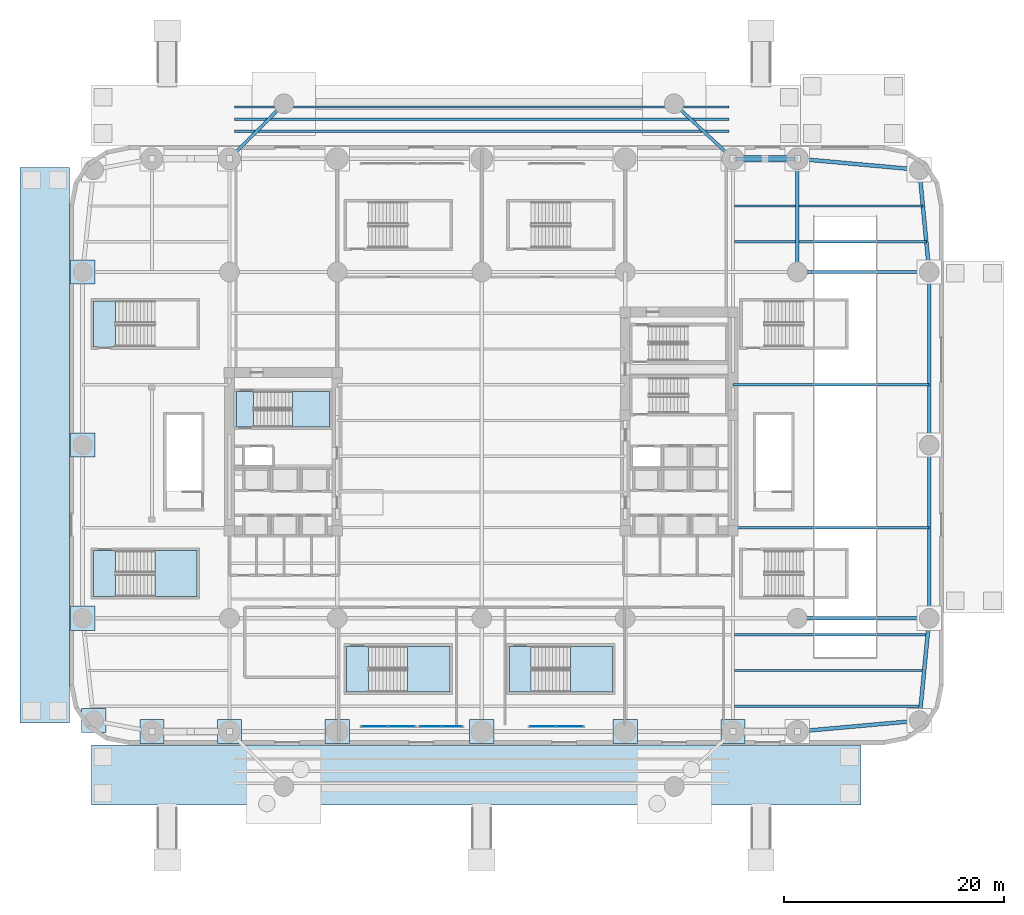
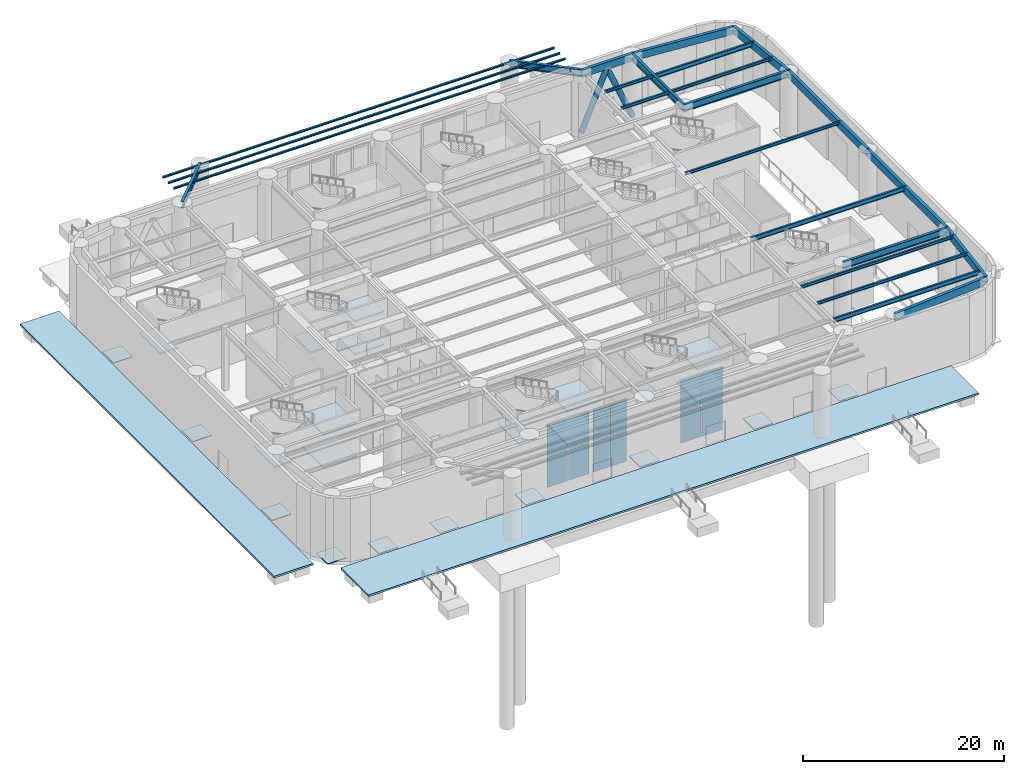
# One storey, part 7 of 25: 22 plates, 21 beams, 15 slabs, 5 members, 8 elements without a shape of their own.
"""IFC4 building model written with IfcOpenShell, lengths in metres."""

from ifc_helpers import new_model, si_unit, direction, frame, origin, origin_2d, place, context, subcontext, project, spatial, polyline, rectangle, hollow_rectangle, hollow_circle, i_section, outline, extrude, material, layer, layer_set, material_profile, profile_set, type_object, element, aggregate, save


model = new_model("IFC4")

# Units and contexts
model_context = context("Model", 3, precision=1e-05, world=origin(), true_north=direction((0.0, 1.0)))
body_context = subcontext(model_context, "Body", "Model", "MODEL_VIEW")
ifc_project = project(units=[si_unit("LENGTHUNIT", "METRE"), si_unit("AREAUNIT", "SQUARE_METRE"), si_unit("VOLUMEUNIT", "CUBIC_METRE"), si_unit("PLANEANGLEUNIT", "RADIAN"), si_unit("MASSUNIT", "GRAM", prefix="KILO")], contexts=[model_context])

# Site, building, storey
site_placement = place(None, origin())
site = spatial("IfcSite", under=ifc_project, at=site_placement, CompositionType="ELEMENT")
building_placement = place(site_placement, origin())
building = spatial("IfcBuilding", under=site, at=building_placement, Name="Kolvaren Arena Tower", CompositionType="ELEMENT")
storey_placement = place(building_placement, origin())
storey = spatial("IfcBuildingStorey", under=building, at=storey_placement, Name="L00", CompositionType="ELEMENT", Elevation=0.0)

# Beams
ifc_material_1 = material(Name="Steel CSA G40.21 350W", Category="steel")
ifc_material_profile_1 = material_profile(ifc_material_1, i_section(OverallWidth=0.2119140625, OverallDepth=0.54296875, WebThickness=0.01318359375, FlangeThickness=0.0244140625, FilletRadius=0.013916015625, at=origin_2d()), Name="W530x150")
ifc_profile_set_1 = profile_set([ifc_material_profile_1], Name="Steel CSA G40.21 350W")
beam_type_1 = type_object("IfcBeamType", Name="BEAM-F1", PredefinedType="BEAM", material=ifc_profile_set_1)
beam_1_placement = place(storey_placement, frame((60.49609375, 3.5, 7.37841796875), z_axis=(1.0, 0.0, 0.0), x_axis=(0.0, 1.0, 0.0)))
element("IfcBeam", 1, at=beam_1_placement, inside=storey, type_object=beam_type_1, Name="Composite Floor Beam (L00)", PredefinedType="BEAM", context=body_context, shape_type="SweptSolid", body=[
    extrude(i_section(OverallWidth=0.2119140625, OverallDepth=0.54296875, WebThickness=0.01318359375, FlangeThickness=0.0244140625, FilletRadius=0.013916015625, at=origin_2d()), origin(), (0.0, 0.0, 1.0), 16.9296875),
])
beam_2_placement = place(storey_placement, frame((60.3701171875, 19.75, 7.37841796875), z_axis=(1.0, 0.0, 0.0), x_axis=(0.0, 1.0, 0.0)))
element("IfcBeam", 2, at=beam_2_placement, inside=storey, type_object=beam_type_1, Name="Composite Floor Beam (L00)", PredefinedType="BEAM", context=body_context, shape_type="SweptSolid", body=[
    extrude(i_section(OverallWidth=0.2119140625, OverallDepth=0.54296875, WebThickness=0.01318359375, FlangeThickness=0.0244140625, FilletRadius=0.013916015625, at=origin_2d()), origin(), (0.0, 0.0, 1.0), 17.829833984375),
])
beam_3_placement = place(storey_placement, frame((66.345947265625, 49.0, 7.37841796875), z_axis=(1.0, 0.0, 0.0), x_axis=(0.0, 1.0, 0.0)))
element("IfcBeam", 3, at=beam_3_placement, inside=storey, type_object=beam_type_1, Name="Composite Floor Beam (L00)", PredefinedType="BEAM", context=body_context, shape_type="SweptSolid", body=[
    extrude(i_section(OverallWidth=0.2119140625, OverallDepth=0.54296875, WebThickness=0.01318359375, FlangeThickness=0.0244140625, FilletRadius=0.013916015625, at=origin_2d()), origin(), (0.0, 0.0, 1.0), 11.2734375),
])

# Members
ifc_material_2 = material(Name="Steel CSA G40.21 350WT", Category="steel")
ifc_material_profile_2 = material_profile(ifc_material_2, hollow_circle(Radius=0.304931640625, WallThickness=0.028076171875, at=origin_2d()), Name="CHS 610x28")
ifc_profile_set_2 = profile_set([ifc_material_profile_2], Name="Steel CSA G40.21 350WT")
member_type_1 = type_object("IfcMemberType", Name="EXO-STRUT1", PredefinedType="STRUT", material=ifc_profile_set_2)
for number, where, z_axis, x_axis, name in (
    (4, (60.35009765625, 53.300048828125, 0.050048828125), (0.396847792712, 0.0, 0.917884431407), (0.0, 1.0, 0.0), "Stilt Podium Inclined Strut 7"),
    (5, (66.199951171875, 53.300048828125, 0.050048828125), (-0.39687570109, 0.0, 0.917872364702), (0.0, -1.0, 0.0), "Stilt Podium Inclined Strut 8"),
):
    element("IfcMember", number, at=place(storey_placement, frame(where, z_axis=z_axis, x_axis=x_axis)), inside=storey, type_object=member_type_1, Name=name, PredefinedType="STRUT", context=body_context, shape_type="SweptSolid", body=[
        extrude(hollow_circle(Radius=0.304931640625, WallThickness=0.028076171875, at=origin_2d()), origin(), (0.0, 0.0, 1.0), 7.3701171875),
    ])

# Beams
ifc_material_profile_3 = material_profile(ifc_material_1, i_section(OverallWidth=0.2919921875, OverallDepth=0.85498046875, WebThickness=0.02099609375, FlangeThickness=0.03564453125, FilletRadius=0.01806640625, at=origin_2d()), Name="W840x299")
ifc_profile_set_3 = profile_set([ifc_material_profile_3], Name="Steel CSA G40.21 350W")
beam_type_2 = type_object("IfcBeamType", Name="GIRD-P1", PredefinedType="BEAM", material=ifc_profile_set_3)
beam_4_placement = place(storey_placement, frame((19.5, 58.300048828125, 7.2724609375), z_axis=(-0.703541093045, -0.710654578819, 0.0), x_axis=(0.710654578819, -0.703541093045, 0.0)))
element("IfcBeam", 6, at=beam_4_placement, inside=storey, type_object=beam_type_2, Name="Plaza Colonnade Tie Girder PF-N1", PredefinedType="BEAM", context=body_context, shape_type="SweptSolid", body=[
    extrude(i_section(OverallWidth=0.2919921875, OverallDepth=0.85498046875, WebThickness=0.02099609375, FlangeThickness=0.03564453125, FilletRadius=0.01806640625, at=origin_2d()), origin(), (0.0, 0.0, 1.0), 7.035888671875),
])
beam_5_placement = place(storey_placement, frame((55.0, 58.300048828125, 7.2724609375), z_axis=(0.730607201925, -0.682798005632, 0.0), x_axis=(0.682798005632, 0.730607201925, 0.0)))
element("IfcBeam", 7, at=beam_5_placement, inside=storey, type_object=beam_type_2, Name="Plaza Colonnade Tie Girder PF-N2", PredefinedType="BEAM", context=body_context, shape_type="SweptSolid", body=[
    extrude(i_section(OverallWidth=0.2919921875, OverallDepth=0.85498046875, WebThickness=0.02099609375, FlangeThickness=0.03564453125, FilletRadius=0.01806640625, at=origin_2d()), origin(), (0.0, 0.0, 1.0), 7.32275390625),
])
for number, where, z_axis, x_axis, name in (
    (8, (66.199951171875, 11.5, 7.222412109375), (1.0, 0.0, 0.0), (0.0, 1.0, 0.0), "Primary Floor Girder (L00)"),
    (9, (66.199951171875, 43.0, 7.222412109375), (1.0, 0.0, 0.0), (0.0, 1.0, 0.0), "Primary Floor Girder (L00)"),
):
    element("IfcBeam", number, at=place(storey_placement, frame(where, z_axis=z_axis, x_axis=x_axis)), inside=storey, type_object=beam_type_2, Name=name, PredefinedType="BEAM", context=body_context, shape_type="SweptSolid", body=[
        extrude(i_section(OverallWidth=0.2919921875, OverallDepth=0.85498046875, WebThickness=0.02099609375, FlangeThickness=0.03564453125, FilletRadius=0.01806640625, at=origin_2d()), origin(), (0.0, 0.0, 1.0), 12.0),
    ])
beam_6_placement = place(storey_placement, frame((66.199951171875, 43.0, 7.222412109375), z_axis=(0.0, 1.0, 0.0), x_axis=(-1.0, 0.0, 0.0)))
element("IfcBeam", 10, at=beam_6_placement, inside=storey, type_object=beam_type_2, Name="Primary Floor Girder (L00)", PredefinedType="BEAM", context=body_context, shape_type="SweptSolid", body=[
    extrude(i_section(OverallWidth=0.2919921875, OverallDepth=0.85498046875, WebThickness=0.02099609375, FlangeThickness=0.03564453125, FilletRadius=0.01806640625, at=origin_2d()), origin(), (0.0, 0.0, 1.0), 10.300048828125),
])
ifc_material_profile_4 = material_profile(ifc_material_1, i_section(OverallWidth=0.202880859375, OverallDepth=0.346923828125, WebThickness=0.0078125, FlangeThickness=0.013427734375, FilletRadius=0.010986328125, at=origin_2d()), Name="W360x64")
ifc_profile_set_4 = profile_set([ifc_material_profile_4], Name="Steel CSA G40.21 350W")
beam_type_3 = type_object("IfcBeamType", Name="JOIST-01", PredefinedType="JOIST", material=ifc_profile_set_4)
beam_7_placement = place(storey_placement, frame((60.49609375, 6.75, 7.4765625), z_axis=(1.0, 0.0, 0.0), x_axis=(0.0, 1.0, 0.0)))
element("IfcBeam", 11, at=beam_7_placement, inside=storey, type_object=beam_type_3, Name="Composite Floor Joist (L00)", PredefinedType="JOIST", context=body_context, shape_type="SweptSolid", body=[
    extrude(i_section(OverallWidth=0.202880859375, OverallDepth=0.346923828125, WebThickness=0.0078125, FlangeThickness=0.013427734375, FilletRadius=0.010986328125, at=origin_2d()), origin(), (0.0, 0.0, 1.0), 17.244140625),
])
beam_8_placement = place(storey_placement, frame((60.49609375, 10.0, 7.4765625), z_axis=(1.0, 0.0, 0.0), x_axis=(0.0, 1.0, 0.0)))
element("IfcBeam", 12, at=beam_8_placement, inside=storey, type_object=beam_type_3, Name="Composite Floor Joist (L00)", PredefinedType="JOIST", context=body_context, shape_type="SweptSolid", body=[
    extrude(i_section(OverallWidth=0.202880859375, OverallDepth=0.346923828125, WebThickness=0.0078125, FlangeThickness=0.013427734375, FilletRadius=0.010986328125, at=origin_2d()), origin(), (0.0, 0.0, 1.0), 17.55859375),
])
beam_9_placement = place(storey_placement, frame((60.3701171875, 32.75, 7.4765625), z_axis=(1.0, 0.0, 0.0), x_axis=(0.0, 1.0, 0.0)))
element("IfcBeam", 13, at=beam_9_placement, inside=storey, type_object=beam_type_3, Name="Composite Floor Joist (L00)", PredefinedType="JOIST", context=body_context, shape_type="SweptSolid", body=[
    extrude(i_section(OverallWidth=0.202880859375, OverallDepth=0.346923828125, WebThickness=0.0078125, FlangeThickness=0.013427734375, FilletRadius=0.010986328125, at=origin_2d()), origin(), (0.0, 0.0, 1.0), 17.829833984375),
])
beam_10_placement = place(storey_placement, frame((60.49609375, 45.75, 7.4765625), z_axis=(1.0, 0.0, 0.0), x_axis=(0.0, 1.0, 0.0)))
element("IfcBeam", 14, at=beam_10_placement, inside=storey, type_object=beam_type_3, Name="Composite Floor Joist (L00)", PredefinedType="JOIST", context=body_context, shape_type="SweptSolid", body=[
    extrude(i_section(OverallWidth=0.202880859375, OverallDepth=0.346923828125, WebThickness=0.0078125, FlangeThickness=0.013427734375, FilletRadius=0.010986328125, at=origin_2d()), origin(), (0.0, 0.0, 1.0), 5.557861328125),
])
beam_11_placement = place(storey_placement, frame((66.345947265625, 45.75, 7.4765625), z_axis=(1.0, 0.0, 0.0), x_axis=(0.0, 1.0, 0.0)))
element("IfcBeam", 15, at=beam_11_placement, inside=storey, type_object=beam_type_3, Name="Composite Floor Joist (L00)", PredefinedType="JOIST", context=body_context, shape_type="SweptSolid", body=[
    extrude(i_section(OverallWidth=0.202880859375, OverallDepth=0.346923828125, WebThickness=0.0078125, FlangeThickness=0.013427734375, FilletRadius=0.010986328125, at=origin_2d()), origin(), (0.0, 0.0, 1.0), 11.587890625),
])
beam_12_placement = place(storey_placement, frame((60.49609375, 49.0, 7.4765625), z_axis=(1.0, 0.0, 0.0), x_axis=(0.0, 1.0, 0.0)))
element("IfcBeam", 16, at=beam_12_placement, inside=storey, type_object=beam_type_3, Name="Composite Floor Joist (L00)", PredefinedType="JOIST", context=body_context, shape_type="SweptSolid", body=[
    extrude(i_section(OverallWidth=0.202880859375, OverallDepth=0.346923828125, WebThickness=0.0078125, FlangeThickness=0.013427734375, FilletRadius=0.010986328125, at=origin_2d()), origin(), (0.0, 0.0, 1.0), 5.557861328125),
])

# Members
ifc_material_profile_5 = material_profile(ifc_material_1, i_section(OverallWidth=0.202880859375, OverallDepth=0.202880859375, WebThickness=0.007080078125, FlangeThickness=0.010986328125, FilletRadius=0.009033203125, at=origin_2d()), Name="W200x46")
ifc_profile_set_5 = profile_set([ifc_material_profile_5], Name="Steel CSA G40.21 350W")
member_type_2 = type_object("IfcMemberType", Name="PURLIN-CN1", PredefinedType="PURLIN", material=ifc_profile_set_5)
for number, where, z_axis, x_axis, name in (
    (17, (15.0, 55.800048828125, 7.598388671875), (1.0, 0.0, 0.0), (0.0, 1.0, 0.0), "Canopy Steel Purlin (North)"),
    (18, (15.0, 56.89990234375, 7.598388671875), (1.0, 0.0, 0.0), (0.0, 1.0, 0.0), "Canopy Steel Purlin (North)"),
    (19, (15.0, 58.0, 7.598388671875), (1.0, 0.0, 0.0), (0.0, 1.0, 0.0), "Canopy Steel Purlin (North)"),
):
    element("IfcMember", number, at=place(storey_placement, frame(where, z_axis=z_axis, x_axis=x_axis)), inside=storey, type_object=member_type_2, Name=name, PredefinedType="PURLIN", context=body_context, shape_type="SweptSolid", body=[
        extrude(i_section(OverallWidth=0.202880859375, OverallDepth=0.202880859375, WebThickness=0.007080078125, FlangeThickness=0.010986328125, FilletRadius=0.009033203125, at=origin_2d()), origin(), (0.0, 0.0, 1.0), 45.0),
    ])

# Beams
ifc_material_profile_6 = material_profile(ifc_material_2, hollow_rectangle(XDim=0.35009765625, YDim=0.89990234375, WallThickness=0.02001953125, at=origin_2d()), Name="HSS 900x350x20")
ifc_profile_set_6 = profile_set([ifc_material_profile_6], Name="Steel CSA G40.21 350WT")
beam_type_4 = type_object("IfcBeamType", Name="SPAND-01", PredefinedType="SPANDREL", material=ifc_profile_set_6)
beam_13_placement = place(storey_placement, frame((66.199951171875, 1.199951171875, 7.199951171875), z_axis=(0.995966494892, 0.089725921855, 0.0), x_axis=(-0.089725921855, 0.995966494892, 0.0)))
element("IfcBeam", 20, at=beam_13_placement, inside=storey, type_object=beam_type_4, Name="Perimeter Spandrel Beam (L00)", PredefinedType="SPANDREL", context=body_context, shape_type="SweptSolid", body=[
    extrude(hollow_rectangle(XDim=0.35009765625, YDim=0.89990234375, WallThickness=0.02001953125, at=origin_2d()), origin(), (0.0, 0.0, 1.0), 11.14501953125),
])
beam_14_placement = place(storey_placement, frame((77.300048828125, 2.199951171875, 7.199951171875), z_axis=(0.09631333899, 0.995351064064, 0.0), x_axis=(-0.995351064064, 0.09631333899, 0.0)))
element("IfcBeam", 21, at=beam_14_placement, inside=storey, type_object=beam_type_4, Name="Perimeter Spandrel Beam (L00)", PredefinedType="SPANDREL", context=body_context, shape_type="SweptSolid", body=[
    extrude(hollow_rectangle(XDim=0.35009765625, YDim=0.89990234375, WallThickness=0.02001953125, at=origin_2d()), origin(), (0.0, 0.0, 1.0), 9.343505859375),
])
for number, where, z_axis, x_axis, name in (
    (22, (78.199951171875, 11.5, 7.199951171875), (0.0, 1.0, 0.0), (-1.0, 0.0, 0.0), "Perimeter Spandrel Beam (L00)"),
    (23, (78.199951171875, 27.25, 7.199951171875), (0.0, 1.0, 0.0), (-1.0, 0.0, 0.0), "Perimeter Spandrel Beam (L00)"),
):
    element("IfcBeam", number, at=place(storey_placement, frame(where, z_axis=z_axis, x_axis=x_axis)), inside=storey, type_object=beam_type_4, Name=name, PredefinedType="SPANDREL", context=body_context, shape_type="SweptSolid", body=[
        extrude(hollow_rectangle(XDim=0.35009765625, YDim=0.89990234375, WallThickness=0.02001953125, at=origin_2d()), origin(), (0.0, 0.0, 1.0), 15.75),
    ])
beam_15_placement = place(storey_placement, frame((78.199951171875, 43.0, 7.199951171875), z_axis=(-0.09631333899, 0.995351064064, 0.0), x_axis=(-0.995351064064, -0.09631333899, 0.0)))
element("IfcBeam", 24, at=beam_15_placement, inside=storey, type_object=beam_type_4, Name="Perimeter Spandrel Beam (L00)", PredefinedType="SPANDREL", context=body_context, shape_type="SweptSolid", body=[
    extrude(hollow_rectangle(XDim=0.35009765625, YDim=0.89990234375, WallThickness=0.02001953125, at=origin_2d()), origin(), (0.0, 0.0, 1.0), 9.343505859375),
])
beam_16_placement = place(storey_placement, frame((77.300048828125, 52.300048828125, 7.199951171875), z_axis=(-0.995966494892, 0.089725921855, 0.0), x_axis=(-0.089725921855, -0.995966494892, 0.0)))
element("IfcBeam", 25, at=beam_16_placement, inside=storey, type_object=beam_type_4, Name="Perimeter Spandrel Beam (L00)", PredefinedType="SPANDREL", context=body_context, shape_type="SweptSolid", body=[
    extrude(hollow_rectangle(XDim=0.35009765625, YDim=0.89990234375, WallThickness=0.02001953125, at=origin_2d()), origin(), (0.0, 0.0, 1.0), 11.14501953125),
])
beam_17_placement = place(storey_placement, frame((66.199951171875, 53.300048828125, 7.199951171875), z_axis=(-1.0, 0.0, 0.0), x_axis=(0.0, -1.0, 0.0)))
element("IfcBeam", 26, at=beam_17_placement, inside=storey, type_object=beam_type_4, Name="Perimeter Spandrel Beam (L00)", PredefinedType="SPANDREL", context=body_context, shape_type="SweptSolid", body=[
    extrude(hollow_rectangle(XDim=0.35009765625, YDim=0.89990234375, WallThickness=0.02001953125, at=origin_2d()), origin(), (0.0, 0.0, 1.0), 5.849853515625),
])

# Curtain wall, plates
ifc_material_3 = material(Name="Anodised aluminium unitised curtain wall", Category="aluminium")
curtain_wall_type = type_object("IfcCurtainWallType", Name="CW-SYS-01", PredefinedType="USERDEFINED", material=ifc_material_3)
curtain_wall_1_placement = place(storey_placement, origin())
curtain_wall_1 = element("IfcCurtainWall", 27, at=curtain_wall_1_placement, inside=storey, type_object=curtain_wall_type, Name="Ground Concourse Unitised Curtain Wall (L00)", ObjectType="UNITISED CURTAIN WALL", PredefinedType="USERDEFINED")
ifc_material_4 = material(Name="Triple-silver low-E insulated glazing unit", Category="glass")
ifc_layer_1 = layer(ifc_material_4, 0.0439453125)
ifc_layer_set_1 = layer_set([ifc_layer_1], Name="Triple-silver low-E insulated glazing unit")
plate_type_1 = type_object("IfcPlateType", Name="CWP-VIS1", PredefinedType="CURTAIN_PANEL", material=ifc_layer_set_1)
plate_1_placement = place(storey_placement, frame((27.77490234375, 1.64990234375, 0.10009765625), z_axis=(0.0, 0.0, 1.0), x_axis=(1.0, 0.0, 0.0)))
plate_1 = element("IfcPlate", 28, at=plate_1_placement, type_object=plate_type_1, Name="CW1 panel 1.1", PredefinedType="CURTAIN_PANEL", context=body_context, shape_type="SweptSolid", body=[
    extrude(rectangle(XDim=2.35009765625, YDim=0.0439453125, at=origin_2d()), origin(), (0.0, 0.0, 1.0), 3.675048828125),
])
plate_2_placement = place(storey_placement, frame((27.77490234375, 1.64990234375, 3.875), z_axis=(0.0, 0.0, 1.0), x_axis=(1.0, 0.0, 0.0)))
plate_2 = element("IfcPlate", 29, at=plate_2_placement, type_object=plate_type_1, Name="CW1 panel 1.2", PredefinedType="CURTAIN_PANEL", context=body_context, shape_type="SweptSolid", body=[
    extrude(rectangle(XDim=2.35009765625, YDim=0.0439453125, at=origin_2d()), origin(), (0.0, 0.0, 1.0), 3.675048828125),
])
plate_3_placement = place(storey_placement, frame((30.22509765625, 1.64990234375, 0.10009765625), z_axis=(0.0, 0.0, 1.0), x_axis=(1.0, 0.0, 0.0)))
plate_3 = element("IfcPlate", 30, at=plate_3_placement, type_object=plate_type_1, Name="CW1 panel 2.1", PredefinedType="CURTAIN_PANEL", context=body_context, shape_type="SweptSolid", body=[
    extrude(rectangle(XDim=2.35009765625, YDim=0.0439453125, at=origin_2d()), origin(), (0.0, 0.0, 1.0), 3.675048828125),
])
plate_4_placement = place(storey_placement, frame((30.22509765625, 1.64990234375, 3.875), z_axis=(0.0, 0.0, 1.0), x_axis=(1.0, 0.0, 0.0)))
plate_4 = element("IfcPlate", 31, at=plate_4_placement, type_object=plate_type_1, Name="CW1 panel 2.2", PredefinedType="CURTAIN_PANEL", context=body_context, shape_type="SweptSolid", body=[
    extrude(rectangle(XDim=2.35009765625, YDim=0.0439453125, at=origin_2d()), origin(), (0.0, 0.0, 1.0), 3.675048828125),
])
aggregate(curtain_wall_1, [plate_1, plate_2, plate_3, plate_4])

curtain_wall_2_placement = place(storey_placement, origin())
curtain_wall_2 = element("IfcCurtainWall", 32, at=curtain_wall_2_placement, inside=storey, type_object=curtain_wall_type, Name="Ground Concourse Unitised Curtain Wall (L00)", ObjectType="UNITISED CURTAIN WALL", PredefinedType="USERDEFINED")
plate_5_placement = place(storey_placement, frame((32.824951171875, 1.64990234375, 0.10009765625), z_axis=(0.0, 0.0, 1.0), x_axis=(1.0, 0.0, 0.0)))
plate_5 = element("IfcPlate", 33, at=plate_5_placement, type_object=plate_type_1, Name="CW1 panel 1.1", PredefinedType="CURTAIN_PANEL", context=body_context, shape_type="SweptSolid", body=[
    extrude(rectangle(XDim=1.85009765625, YDim=0.0439453125, at=origin_2d()), origin(), (0.0, 0.0, 1.0), 3.675048828125),
])
plate_6_placement = place(storey_placement, frame((32.824951171875, 1.64990234375, 3.875), z_axis=(0.0, 0.0, 1.0), x_axis=(1.0, 0.0, 0.0)))
plate_6 = element("IfcPlate", 34, at=plate_6_placement, type_object=plate_type_1, Name="CW1 panel 1.2", PredefinedType="CURTAIN_PANEL", context=body_context, shape_type="SweptSolid", body=[
    extrude(rectangle(XDim=1.85009765625, YDim=0.0439453125, at=origin_2d()), origin(), (0.0, 0.0, 1.0), 3.675048828125),
])
plate_7_placement = place(storey_placement, frame((34.77490234375, 1.64990234375, 0.10009765625), z_axis=(0.0, 0.0, 1.0), x_axis=(1.0, 0.0, 0.0)))
plate_7 = element("IfcPlate", 35, at=plate_7_placement, type_object=plate_type_1, Name="CW1 panel 2.1", PredefinedType="CURTAIN_PANEL", context=body_context, shape_type="SweptSolid", body=[
    extrude(rectangle(XDim=1.85009765625, YDim=0.0439453125, at=origin_2d()), origin(), (0.0, 0.0, 1.0), 3.675048828125),
])
plate_8_placement = place(storey_placement, frame((34.77490234375, 1.64990234375, 3.875), z_axis=(0.0, 0.0, 1.0), x_axis=(1.0, 0.0, 0.0)))
plate_8 = element("IfcPlate", 36, at=plate_8_placement, type_object=plate_type_1, Name="CW1 panel 2.2", PredefinedType="CURTAIN_PANEL", context=body_context, shape_type="SweptSolid", body=[
    extrude(rectangle(XDim=1.85009765625, YDim=0.0439453125, at=origin_2d()), origin(), (0.0, 0.0, 1.0), 3.675048828125),
])
aggregate(curtain_wall_2, [plate_5, plate_6, plate_7, plate_8])

curtain_wall_3_placement = place(storey_placement, origin())
curtain_wall_3 = element("IfcCurtainWall", 37, at=curtain_wall_3_placement, inside=storey, type_object=curtain_wall_type, Name="Ground Concourse Unitised Curtain Wall (L00)", ObjectType="UNITISED CURTAIN WALL", PredefinedType="USERDEFINED")
plate_9_placement = place(storey_placement, frame((43.074951171875, 1.64990234375, 0.10009765625), z_axis=(0.0, 0.0, 1.0), x_axis=(1.0, 0.0, 0.0)))
plate_9 = element("IfcPlate", 38, at=plate_9_placement, type_object=plate_type_1, Name="CW1 panel 1.1", PredefinedType="CURTAIN_PANEL", context=body_context, shape_type="SweptSolid", body=[
    extrude(rectangle(XDim=2.35009765625, YDim=0.0439453125, at=origin_2d()), origin(), (0.0, 0.0, 1.0), 3.675048828125),
])
plate_10_placement = place(storey_placement, frame((43.074951171875, 1.64990234375, 3.875), z_axis=(0.0, 0.0, 1.0), x_axis=(1.0, 0.0, 0.0)))
plate_10 = element("IfcPlate", 39, at=plate_10_placement, type_object=plate_type_1, Name="CW1 panel 1.2", PredefinedType="CURTAIN_PANEL", context=body_context, shape_type="SweptSolid", body=[
    extrude(rectangle(XDim=2.35009765625, YDim=0.0439453125, at=origin_2d()), origin(), (0.0, 0.0, 1.0), 3.675048828125),
])
plate_11_placement = place(storey_placement, frame((45.52490234375, 1.64990234375, 0.10009765625), z_axis=(0.0, 0.0, 1.0), x_axis=(1.0, 0.0, 0.0)))
plate_11 = element("IfcPlate", 40, at=plate_11_placement, type_object=plate_type_1, Name="CW1 panel 2.1", PredefinedType="CURTAIN_PANEL", context=body_context, shape_type="SweptSolid", body=[
    extrude(rectangle(XDim=2.35009765625, YDim=0.0439453125, at=origin_2d()), origin(), (0.0, 0.0, 1.0), 3.675048828125),
])
plate_12_placement = place(storey_placement, frame((45.52490234375, 1.64990234375, 3.875), z_axis=(0.0, 0.0, 1.0), x_axis=(1.0, 0.0, 0.0)))
plate_12 = element("IfcPlate", 41, at=plate_12_placement, type_object=plate_type_1, Name="CW1 panel 2.2", PredefinedType="CURTAIN_PANEL", context=body_context, shape_type="SweptSolid", body=[
    extrude(rectangle(XDim=2.35009765625, YDim=0.0439453125, at=origin_2d()), origin(), (0.0, 0.0, 1.0), 3.675048828125),
])
aggregate(curtain_wall_3, [plate_9, plate_10, plate_11, plate_12])

# Plates
ifc_layer_2 = layer(ifc_material_2, 0.090087890625)
ifc_layer_set_2 = layer_set([ifc_layer_2], Name="Steel CSA G40.21 350WT")
plate_type_2 = type_object("IfcPlateType", Name="PLT-BAS-S1", PredefinedType="USERDEFINED", material=ifc_layer_set_2)
for number, where, z_axis, x_axis, name in (
    (42, (2.199951171875, 2.199951171875, 0.0), (0.0, 0.0, 1.0), (1.0, 0.0, 0.0), "Composite Stilt Base Plate PS-C0"),
    (43, (7.5, 1.199951171875, 0.0), (0.0, 0.0, 1.0), (1.0, 0.0, 0.0), "Composite Stilt Base Plate PS-01"),
    (44, (14.550048828125, 1.199951171875, 0.0), (0.0, 0.0, 1.0), (1.0, 0.0, 0.0), "Composite Stilt Base Plate PS-02"),
    (45, (24.35009765625, 1.199951171875, 0.0), (0.0, 0.0, 1.0), (1.0, 0.0, 0.0), "Composite Stilt Base Plate PS-03"),
    (46, (37.5, 1.199951171875, 0.0), (0.0, 0.0, 1.0), (1.0, 0.0, 0.0), "Composite Stilt Base Plate PS-04"),
    (47, (50.550048828125, 1.199951171875, 0.0), (0.0, 0.0, 1.0), (1.0, 0.0, 0.0), "Composite Stilt Base Plate PS-05"),
    (48, (60.35009765625, 1.199951171875, 0.0), (0.0, 0.0, 1.0), (1.0, 0.0, 0.0), "Composite Stilt Base Plate PS-06"),
    (49, (1.199951171875, 43.0, 0.0), (0.0, 0.0, 1.0), (1.0, 0.0, 0.0), "Composite Stilt Base Plate PW-03"),
    (50, (1.199951171875, 27.25, 0.0), (0.0, 0.0, 1.0), (1.0, 0.0, 0.0), "Composite Stilt Base Plate PW-02"),
    (51, (1.199951171875, 11.5, 0.0), (0.0, 0.0, 1.0), (1.0, 0.0, 0.0), "Composite Stilt Base Plate PW-01"),
):
    element("IfcPlate", number, at=place(storey_placement, frame(where, z_axis=z_axis, x_axis=x_axis)), inside=storey, type_object=plate_type_2, Name=name, ObjectType="BASE PLATE", PredefinedType="USERDEFINED", context=body_context, shape_type="SweptSolid", body=[
        extrude(rectangle(XDim=2.199951171875, YDim=2.199951171875, at=origin_2d()), origin(), (0.0, 0.0, 1.0), 0.090087890625),
    ])

# Stair, slabs
ifc_material_5 = material(Name="Concrete 45 MPa", Category="concrete")
stair_type_1 = type_object("IfcStairType", Name="STAIR-CORE-165", PredefinedType="HALF_TURN_STAIR", material=ifc_material_5)
stair_1_placement = place(storey_placement, origin())
stair_1 = element("IfcStair", 52, at=stair_1_placement, inside=storey, type_object=stair_type_1, Name="L00 ST-W1", PredefinedType="HALF_TURN_STAIR")
ifc_layer_3 = layer(ifc_material_5, 0.199951171875)
ifc_layer_set_3 = layer_set([ifc_layer_3], Name="Concrete 45 MPa")
slab_type_1 = type_object("IfcSlabType", Name="SLAB-LAND", PredefinedType="LANDING", material=ifc_layer_set_3)
slab_1_placement = place(storey_placement, frame((0.0, 0.0, 1.800048828125)))
slab_1 = element("IfcSlab", 53, at=slab_1_placement, type_object=slab_type_1, Name="ST-W1 landing 1", PredefinedType="LANDING", context=body_context, shape_type="SweptSolid", body=[
    extrude(outline(polyline([(20.283935546875, 28.89990234375), (23.659912109375, 28.89990234375), (23.659912109375, 32.1298828125), (20.283935546875, 32.1298828125), (20.283935546875, 28.89990234375)])), origin(), (0.0, 0.0, 1.0), 0.199951171875),
])
slab_2_placement = place(storey_placement, frame((0.0, 0.0, 3.800048828125)))
slab_2 = element("IfcSlab", 54, at=slab_2_placement, type_object=slab_type_1, Name="ST-W1 landing 2", PredefinedType="LANDING", context=body_context, shape_type="SweptSolid", body=[
    extrude(outline(polyline([(15.179931640625, 28.89990234375), (16.719970703125, 28.89990234375), (16.719970703125, 32.1298828125), (15.179931640625, 32.1298828125), (15.179931640625, 28.89990234375)])), origin(), (0.0, 0.0, 1.0), 0.199951171875),
])
slab_3_placement = place(storey_placement, frame((0.0, 0.0, 5.800048828125)))
slab_3 = element("IfcSlab", 55, at=slab_3_placement, type_object=slab_type_1, Name="ST-W1 landing 3", PredefinedType="LANDING", context=body_context, shape_type="SweptSolid", body=[
    extrude(outline(polyline([(20.283935546875, 28.89990234375), (23.659912109375, 28.89990234375), (23.659912109375, 32.1298828125), (20.283935546875, 32.1298828125), (20.283935546875, 28.89990234375)])), origin(), (0.0, 0.0, 1.0), 0.199951171875),
])
aggregate(stair_1, [slab_1, slab_2, slab_3])

stair_type_2 = type_object("IfcStairType", Name="STAIR-ARENA-220", PredefinedType="HALF_TURN_STAIR", material=ifc_material_5)
stair_2_placement = place(storey_placement, origin())
stair_2 = element("IfcStair", 56, at=stair_2_placement, inside=storey, type_object=stair_type_2, Name="L00 ST-A1", PredefinedType="HALF_TURN_STAIR")
slab_4_placement = place(storey_placement, frame((0.0, 0.0, 1.800048828125)))
slab_4 = element("IfcSlab", 57, at=slab_4_placement, type_object=slab_type_1, Name="ST-A1 landing 1", PredefinedType="LANDING", context=body_context, shape_type="SweptSolid", body=[
    extrude(outline(polyline([(7.763916015625, 13.5), (11.60009765625, 13.5), (11.60009765625, 17.64990234375), (7.763916015625, 17.64990234375), (7.763916015625, 13.5)])), origin(), (0.0, 0.0, 1.0), 0.199951171875),
])
slab_5_placement = place(storey_placement, frame((0.0, 0.0, 3.800048828125)))
slab_5 = element("IfcSlab", 58, at=slab_5_placement, type_object=slab_type_1, Name="ST-A1 landing 2", PredefinedType="LANDING", context=body_context, shape_type="SweptSolid", body=[
    extrude(outline(polyline([(2.199951171875, 13.5), (4.199951171875, 13.5), (4.199951171875, 17.64990234375), (2.199951171875, 17.64990234375), (2.199951171875, 13.5)])), origin(), (0.0, 0.0, 1.0), 0.199951171875),
])
slab_6_placement = place(storey_placement, frame((0.0, 0.0, 5.800048828125)))
slab_6 = element("IfcSlab", 59, at=slab_6_placement, type_object=slab_type_1, Name="ST-A1 landing 3", PredefinedType="LANDING", context=body_context, shape_type="SweptSolid", body=[
    extrude(outline(polyline([(7.763916015625, 13.5), (11.60009765625, 13.5), (11.60009765625, 17.64990234375), (7.763916015625, 17.64990234375), (7.763916015625, 13.5)])), origin(), (0.0, 0.0, 1.0), 0.199951171875),
])
aggregate(stair_2, [slab_4, slab_5, slab_6])

stair_3_placement = place(storey_placement, origin())
stair_3 = element("IfcStair", 60, at=stair_3_placement, inside=storey, type_object=stair_type_2, Name="L00 ST-A2", PredefinedType="HALF_TURN_STAIR")
slab_7_placement = place(storey_placement, frame((0.0, 0.0, 1.800048828125)))
slab_7 = element("IfcSlab", 61, at=slab_7_placement, type_object=slab_type_1, Name="ST-A2 landing 1", PredefinedType="LANDING", context=body_context, shape_type="SweptSolid", body=[
    extrude(outline(polyline([(30.763916015625, 4.800048828125), (34.60009765625, 4.800048828125), (34.60009765625, 8.949951171875), (30.763916015625, 8.949951171875), (30.763916015625, 4.800048828125)])), origin(), (0.0, 0.0, 1.0), 0.199951171875),
])
slab_8_placement = place(storey_placement, frame((0.0, 0.0, 3.800048828125)))
slab_8 = element("IfcSlab", 62, at=slab_8_placement, type_object=slab_type_1, Name="ST-A2 landing 2", PredefinedType="LANDING", context=body_context, shape_type="SweptSolid", body=[
    extrude(outline(polyline([(25.199951171875, 4.800048828125), (27.199951171875, 4.800048828125), (27.199951171875, 8.949951171875), (25.199951171875, 8.949951171875), (25.199951171875, 4.800048828125)])), origin(), (0.0, 0.0, 1.0), 0.199951171875),
])
slab_9_placement = place(storey_placement, frame((0.0, 0.0, 5.800048828125)))
slab_9 = element("IfcSlab", 63, at=slab_9_placement, type_object=slab_type_1, Name="ST-A2 landing 3", PredefinedType="LANDING", context=body_context, shape_type="SweptSolid", body=[
    extrude(outline(polyline([(30.763916015625, 4.800048828125), (34.60009765625, 4.800048828125), (34.60009765625, 8.949951171875), (30.763916015625, 8.949951171875), (30.763916015625, 4.800048828125)])), origin(), (0.0, 0.0, 1.0), 0.199951171875),
])
aggregate(stair_3, [slab_7, slab_8, slab_9])

stair_4_placement = place(storey_placement, origin())
stair_4 = element("IfcStair", 64, at=stair_4_placement, inside=storey, type_object=stair_type_2, Name="L00 ST-A3", PredefinedType="HALF_TURN_STAIR")
slab_10_placement = place(storey_placement, frame((0.0, 0.0, 1.800048828125)))
slab_10 = element("IfcSlab", 65, at=slab_10_placement, type_object=slab_type_1, Name="ST-A3 landing 1", PredefinedType="LANDING", context=body_context, shape_type="SweptSolid", body=[
    extrude(outline(polyline([(45.56396484375, 4.800048828125), (49.39990234375, 4.800048828125), (49.39990234375, 8.949951171875), (45.56396484375, 8.949951171875), (45.56396484375, 4.800048828125)])), origin(), (0.0, 0.0, 1.0), 0.199951171875),
])
slab_11_placement = place(storey_placement, frame((0.0, 0.0, 3.800048828125)))
slab_11 = element("IfcSlab", 66, at=slab_11_placement, type_object=slab_type_1, Name="ST-A3 landing 2", PredefinedType="LANDING", context=body_context, shape_type="SweptSolid", body=[
    extrude(outline(polyline([(40.0, 4.800048828125), (42.0, 4.800048828125), (42.0, 8.949951171875), (40.0, 8.949951171875), (40.0, 4.800048828125)])), origin(), (0.0, 0.0, 1.0), 0.199951171875),
])
slab_12_placement = place(storey_placement, frame((0.0, 0.0, 5.800048828125)))
slab_12 = element("IfcSlab", 67, at=slab_12_placement, type_object=slab_type_1, Name="ST-A3 landing 3", PredefinedType="LANDING", context=body_context, shape_type="SweptSolid", body=[
    extrude(outline(polyline([(45.56396484375, 4.800048828125), (49.39990234375, 4.800048828125), (49.39990234375, 8.949951171875), (45.56396484375, 8.949951171875), (45.56396484375, 4.800048828125)])), origin(), (0.0, 0.0, 1.0), 0.199951171875),
])
aggregate(stair_4, [slab_10, slab_11, slab_12])

# Stair, slab
stair_5_placement = place(storey_placement, origin())
stair_5 = element("IfcStair", 68, at=stair_5_placement, inside=storey, type_object=stair_type_2, Name="L00 ST-A5", PredefinedType="HALF_TURN_STAIR")
slab_13_placement = place(storey_placement, frame((0.0, 0.0, 3.800048828125)))
slab_13 = element("IfcSlab", 69, at=slab_13_placement, type_object=slab_type_1, Name="ST-A5 landing 2", PredefinedType="LANDING", context=body_context, shape_type="SweptSolid", body=[
    extrude(outline(polyline([(2.199951171875, 36.199951171875), (4.199951171875, 36.199951171875), (4.199951171875, 40.35009765625), (2.199951171875, 40.35009765625), (2.199951171875, 36.199951171875)])), origin(), (0.0, 0.0, 1.0), 0.199951171875),
])
aggregate(stair_5, [slab_13])

# Slabs
ifc_material_6 = material(Name="Precast concrete C45/55", Category="concrete")
ifc_layer_4 = layer(ifc_material_6, 0.219970703125)
ifc_layer_set_4 = layer_set([ifc_layer_4], Name="Precast concrete C45/55")
slab_type_2 = type_object("IfcSlabType", Name="SLAB-PLAZA", PredefinedType="USERDEFINED", material=ifc_layer_set_4)
slab_14_placement = place(storey_placement, frame((0.0, 0.0, -0.219970703125)))
element("IfcSlab", 70, at=slab_14_placement, inside=storey, type_object=slab_type_2, Name="Exterior Plaza Paving Apron (South Plaza)", ObjectType="PAVING", PredefinedType="USERDEFINED", context=body_context, shape_type="SweptSolid", body=[
    extrude(outline(polyline([(2.0, -5.5), (72.0, -5.5), (72.0, 0.0), (2.0, 0.0), (2.0, -5.5)])), origin(), (0.0, 0.0, 1.0), 0.219970703125),
])
slab_15_placement = place(storey_placement, frame((0.0, 0.0, -0.219970703125)))
element("IfcSlab", 71, at=slab_15_placement, inside=storey, type_object=slab_type_2, Name="Exterior Plaza Paving Apron (West Plaza)", ObjectType="PAVING", PredefinedType="USERDEFINED", context=body_context, shape_type="SweptSolid", body=[
    extrude(outline(polyline([(-4.5, 2.0), (0.0, 2.0), (0.0, 52.5), (-4.5, 52.5), (-4.5, 2.0)])), origin(), (0.0, 0.0, 1.0), 0.219970703125),
])

save(model, "model.ifc")
